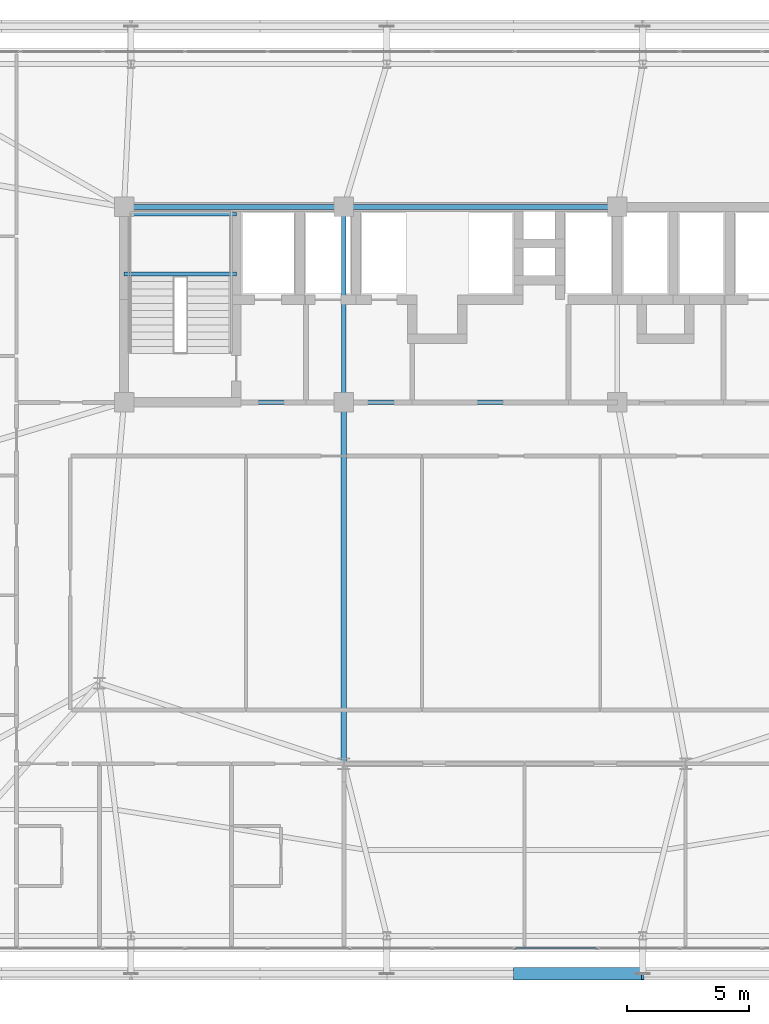
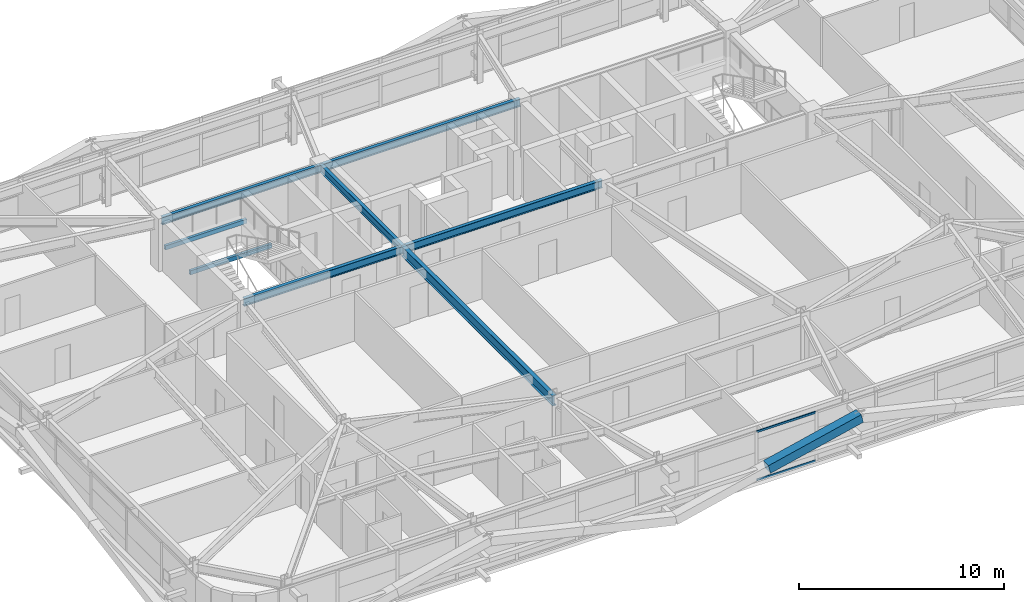
# One storey, part 19 of 58: 8 beams, 3 members, 1 element without a shape of its own.
"""IFC4 building model written with IfcOpenShell, lengths in metres."""

from ifc_helpers import new_model, si_unit, direction, frame, origin, origin_2d, place, context, subcontext, project, spatial, hollow_rectangle, i_section, extrude, source, transform, mapped, material, layer, layer_set, material_profile, profile_set, type_object, element, aggregate, save


model = new_model("IFC4")

# Units and contexts
model_context = context("Model", 3, precision=1e-05, world=origin(), true_north=direction((0.0, 1.0)))
body_context = subcontext(model_context, "Body", "Model", "MODEL_VIEW")
ifc_project = project(units=[si_unit("LENGTHUNIT", "METRE"), si_unit("AREAUNIT", "SQUARE_METRE"), si_unit("VOLUMEUNIT", "CUBIC_METRE"), si_unit("PLANEANGLEUNIT", "RADIAN"), si_unit("MASSUNIT", "GRAM", prefix="KILO")], contexts=[model_context])

# Site, building, storey
site_placement = place(None, origin())
site = spatial("IfcSite", under=ifc_project, at=site_placement, CompositionType="ELEMENT")
building_placement = place(site_placement, origin())
building = spatial("IfcBuilding", under=site, at=building_placement, Name="Taldren Reach Tower", CompositionType="ELEMENT")
storey_placement = place(building_placement, frame((0.0, 0.0, 35.699951171875)))
storey = spatial("IfcBuildingStorey", under=building, at=storey_placement, Name="L10", CompositionType="ELEMENT", Elevation=35.699951171875)

# Beams
ifc_material_1 = material(Name="Steel Gr 350 (350PLUS)", Category="steel")
ifc_material_profile_1 = material_profile(ifc_material_1, i_section(OverallWidth=0.19091796875, OverallDepth=0.4599609375, WebThickness=0.010009765625, FlangeThickness=0.01611328125, at=origin_2d()), Name="460UB82.1")
ifc_profile_set_1 = profile_set([ifc_material_profile_1], Name="Steel Gr 350 (350PLUS)")
beam_type_1 = type_object("IfcBeamType", Name="BM-UB460A", PredefinedType="BEAM", material=ifc_profile_set_1)
shared_shape_1 = source(origin(), body_context, "Body", "SweptSolid", [
    extrude(i_section(OverallWidth=0.19091796875, OverallDepth=0.4599609375, WebThickness=0.010009765625, FlangeThickness=0.01611328125, at=origin_2d()), origin(), (0.0, 0.0, 1.0), 9.0),
])
for number, where, z_axis, x_axis, name in (
    (1, (19.0, 24.0, 2.699951171875), (1.0, 0.0, 0.0), (0.0, 1.0, 0.0), "Core-spine girder L10-SP01"),
    (2, (19.0, 32.0, 2.699951171875), (1.0, 0.0, 0.0), (0.0, 1.0, 0.0), "Core-spine girder L10-SP04"),
):
    element("IfcBeam", number, at=place(storey_placement, frame(where, z_axis=z_axis, x_axis=x_axis)), inside=storey, type_object=beam_type_1, Name=name, PredefinedType="BEAM", context=body_context, shape_type="MappedRepresentation", body=[
        mapped(shared_shape_1, transform((0.0, 0.0, 0.0), scale=1.0)),
    ])
shared_shape_2 = source(origin(), body_context, "Body", "SweptSolid", [
    extrude(i_section(OverallWidth=0.19091796875, OverallDepth=0.4599609375, WebThickness=0.010009765625, FlangeThickness=0.01611328125, at=origin_2d()), origin(), (0.0, 0.0, 1.0), 11.199951171875),
])
for number, where, z_axis, x_axis, name in (
    (3, (28.0, 24.0, 2.699951171875), (1.0, 0.0, 0.0), (0.0, 1.0, 0.0), "Core-spine girder L10-SP02"),
    (4, (28.0, 32.0, 2.699951171875), (1.0, 0.0, 0.0), (0.0, 1.0, 0.0), "Core-spine girder L10-SP05"),
):
    element("IfcBeam", number, at=place(storey_placement, frame(where, z_axis=z_axis, x_axis=x_axis)), inside=storey, type_object=beam_type_1, Name=name, PredefinedType="BEAM", context=body_context, shape_type="MappedRepresentation", body=[
        mapped(shared_shape_2, transform((0.0, 0.0, 0.0), scale=1.0)),
    ])
shared_shape_3 = source(origin(), body_context, "Body", "SweptSolid", [
    extrude(i_section(OverallWidth=0.19091796875, OverallDepth=0.4599609375, WebThickness=0.010009765625, FlangeThickness=0.01611328125, at=origin_2d()), origin(), (0.0, 0.0, 1.0), 8.0),
])
beam_1_placement = place(storey_placement, frame((28.0, 24.0, 2.699951171875), z_axis=(0.0, 1.0, 0.0), x_axis=(-1.0, 0.0, 0.0)))
element("IfcBeam", 5, at=beam_1_placement, inside=storey, type_object=beam_type_1, Name="Core-spine girder L10-SP07", PredefinedType="BEAM", context=body_context, shape_type="MappedRepresentation", body=[
    mapped(shared_shape_3, transform((0.0, 0.0, 0.0), scale=1.0)),
])
ifc_material_profile_2 = material_profile(ifc_material_1, i_section(OverallWidth=0.22802734375, OverallDepth=0.60205078125, WebThickness=0.010498046875, FlangeThickness=0.014892578125, at=origin_2d()), Name="610UB101")
ifc_profile_set_2 = profile_set([ifc_material_profile_2], Name="Steel Gr 350 (350PLUS)")
beam_type_2 = type_object("IfcBeamType", Name="BM-UB610B", PredefinedType="BEAM", material=ifc_profile_set_2)
shared_shape_4 = source(origin(), body_context, "Body", "SweptSolid", [
    extrude(i_section(OverallWidth=0.22802734375, OverallDepth=0.60205078125, WebThickness=0.010498046875, FlangeThickness=0.014892578125, at=origin_2d()), origin(), (0.0, 0.0, 1.0), 14.800048828125),
])
beam_2_placement = place(storey_placement, frame((28.0, 24.0, 2.629150390625), z_axis=(0.0, -1.0, 0.0), x_axis=(1.0, 0.0, 0.0)))
element("IfcBeam", 6, at=beam_2_placement, inside=storey, type_object=beam_type_2, Name="Core-spine girder L10-SP14", PredefinedType="BEAM", context=body_context, shape_type="MappedRepresentation", body=[
    mapped(shared_shape_4, transform((0.0, 0.0, 0.0), scale=1.0)),
])

# Member
ifc_material_2 = material(Name="Steel Gr 450 (C450L0)", Category="steel")
ifc_material_profile_3 = material_profile(ifc_material_2, hollow_rectangle(XDim=0.510009765625, YDim=0.510009765625, WallThickness=0.02001953125, at=origin_2d()), Name="510x510x20.0SHS")
ifc_profile_set_3 = profile_set([ifc_material_profile_3], Name="Steel Gr 450 (C450L0)")
member_type_1 = type_object("IfcMemberType", Name="MB-EXO508", PredefinedType="BRACE", material=ifc_profile_set_3)
shared_shape_5 = source(origin(), body_context, "Body", "SweptSolid", [
    extrude(hollow_rectangle(XDim=0.510009765625, YDim=0.510009765625, WallThickness=0.02001953125, at=origin_2d()), origin(), (0.0, 0.0, 1.0), 5.37890625),
])
member_1_placement = place(storey_placement, frame((35.0, 0.60009765625, 1.43505859375), z_axis=(0.97415197996, 0.0, 0.225893603143), x_axis=(0.0, 1.0, 0.0)))
element("IfcMember", 7, at=member_1_placement, inside=storey, type_object=member_type_1, Name="Exoskeleton Diagrid Brace B1-S3 L10", PredefinedType="BRACE", context=body_context, shape_type="MappedRepresentation", body=[
    mapped(shared_shape_5, transform((0.0, 0.0, 0.0), scale=1.0)),
])

# Curtain wall, members
ifc_material_3 = material(Name="Aluminium and Low-E Glass Unitised System", Category="aluminium")
ifc_layer = layer(ifc_material_3, 0.159912109375)
ifc_layer_set = layer_set([ifc_layer], Name="Aluminium and Low-E Glass Unitised System")
curtain_wall_type = type_object("IfcCurtainWallType", Name="CW-SYS-2", PredefinedType="NOTDEFINED", material=ifc_layer_set)
curtain_wall_placement = place(storey_placement, origin())
curtain_wall = element("IfcCurtainWall", 8, at=curtain_wall_placement, inside=storey, type_object=curtain_wall_type, Name="Unitised curtain wall CW-L10-S", PredefinedType="NOTDEFINED")
ifc_material_4 = material(Name="Anodised Aluminium 6063-T6", Category="aluminium")
ifc_material_profile_4 = material_profile(ifc_material_4, hollow_rectangle(XDim=0.054931640625, YDim=0.1201171875, WallThickness=0.0029296875, at=origin_2d()), Name="ALU-120x55x3RHS")
ifc_profile_set_4 = profile_set([ifc_material_profile_4], Name="Anodised Aluminium 6063-T6")
member_type_2 = type_object("IfcMemberType", Name="CW-TRN-135", PredefinedType="USERDEFINED", material=ifc_profile_set_4)
shared_shape_6 = source(origin(), body_context, "Body", "SweptSolid", [
    extrude(hollow_rectangle(XDim=0.054931640625, YDim=0.1201171875, WallThickness=0.0029296875, at=origin_2d()), origin(), (0.0, 0.0, 1.0), 3.31005859375),
])
member_2_placement = place(storey_placement, frame((35.032470703125, 1.639892578125, 0.027587890625), z_axis=(1.0, 0.0, 0.0), x_axis=(0.0, 1.0, 0.0)))
member_2 = element("IfcMember", 9, at=member_2_placement, type_object=member_type_2, Name="CW-2 transom 9.1", ObjectType="TRANSOM", PredefinedType="USERDEFINED", context=body_context, shape_type="MappedRepresentation", body=[
    mapped(shared_shape_6, transform((0.0, 0.0, 0.0), scale=1.0)),
])
member_3_placement = place(storey_placement, frame((35.032470703125, 1.639892578125, 2.902587890625), z_axis=(1.0, 0.0, 0.0), x_axis=(0.0, 1.0, 0.0)))
member_3 = element("IfcMember", 10, at=member_3_placement, type_object=member_type_2, Name="CW-2 transom 9.2", ObjectType="TRANSOM", PredefinedType="USERDEFINED", context=body_context, shape_type="MappedRepresentation", body=[
    mapped(shared_shape_6, transform((0.0, 0.0, 0.0), scale=1.0)),
])
aggregate(curtain_wall, [member_2, member_3])

# Beams
ifc_material_5 = material(Name="Steel Gr 350 (C350L0)", Category="steel")
ifc_material_profile_5 = material_profile(ifc_material_5, hollow_rectangle(XDim=0.14990234375, YDim=0.25, WallThickness=0.009033203125, at=origin_2d()), Name="250x150x9.0RHS")
ifc_profile_set_5 = profile_set([ifc_material_profile_5], Name="Steel Gr 350 (C350L0)")
beam_type_3 = type_object("IfcBeamType", Name="LN-RHS250", PredefinedType="LINTEL", material=ifc_profile_set_5)
shared_shape_7 = source(origin(), body_context, "Body", "SweptSolid", [
    extrude(hollow_rectangle(XDim=0.14990234375, YDim=0.25, WallThickness=0.009033203125, at=origin_2d()), origin(), (0.0, 0.0, 1.0), 4.60009765625),
])
for number, where, z_axis, x_axis, name in (
    (11, (19.0, 29.2548828125, 1.27001953125), (1.0, 0.0, 0.0), (0.0, 1.0, 0.0), "Stair half-landing support beam ST1-L10-1"),
    (12, (19.0, 31.699951171875, 1.27001953125), (1.0, 0.0, 0.0), (0.0, 1.0, 0.0), "Stair half-landing support beam ST1-L10-2"),
):
    element("IfcBeam", number, at=place(storey_placement, frame(where, z_axis=z_axis, x_axis=x_axis)), inside=storey, type_object=beam_type_3, Name=name, PredefinedType="LINTEL", context=body_context, shape_type="MappedRepresentation", body=[
        mapped(shared_shape_7, transform((0.0, 0.0, 0.0), scale=1.0)),
    ])

save(model, "model.ifc")
